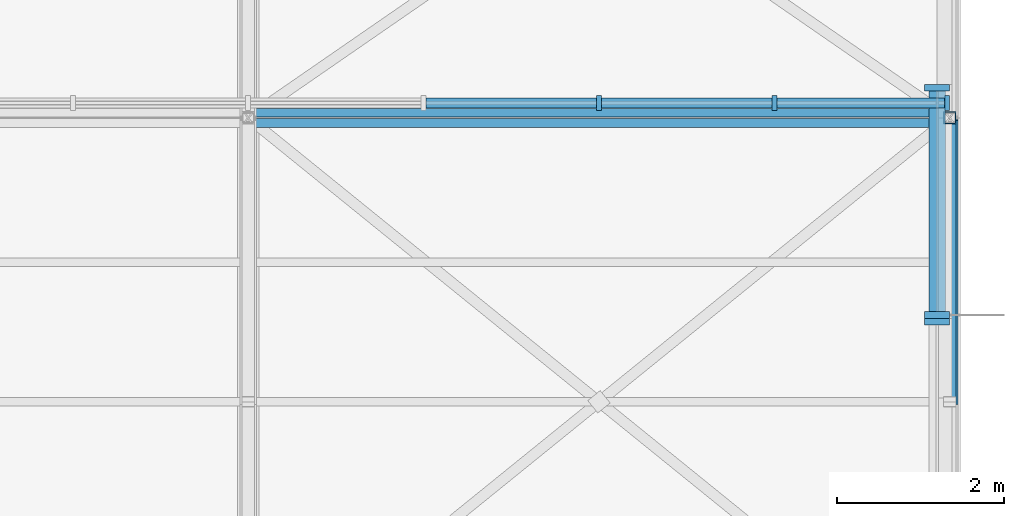
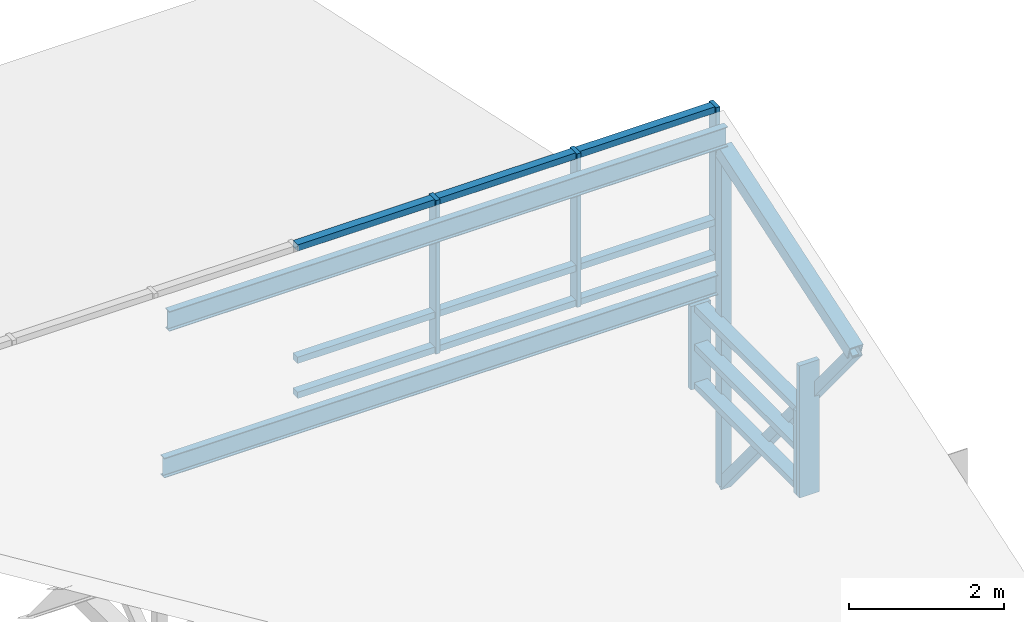
# One storey, part 23 of 89: 20 members, 3 beams, 3 elements without a shape of their own.
"""IFC4 building model written with IfcOpenShell, lengths in metres."""

from ifc_helpers import new_model, si_unit, direction, frame, origin, origin_2d, place, context, subcontext, project, spatial, rectangle, hollow_rectangle, i_section, extrude, material, material_profile, profile_set, type_object, element, aggregate, save


model = new_model("IFC4")

# Units and contexts
model_context = context("Model", 3, precision=1e-05, world=origin(), true_north=direction((0.0, 1.0)))
body_context = subcontext(model_context, "Body", "Model", "MODEL_VIEW")
ifc_project = project(units=[si_unit("LENGTHUNIT", "METRE"), si_unit("AREAUNIT", "SQUARE_METRE"), si_unit("VOLUMEUNIT", "CUBIC_METRE"), si_unit("PLANEANGLEUNIT", "RADIAN"), si_unit("MASSUNIT", "GRAM", prefix="KILO")], contexts=[model_context])

# Site, building, storey
site_placement = place(None, origin())
site = spatial("IfcSite", under=ifc_project, at=site_placement, CompositionType="ELEMENT")
building_placement = place(site_placement, origin())
building = spatial("IfcBuilding", under=site, at=building_placement, Name="Hlaing Beacon Police Headquarters", CompositionType="ELEMENT")
storey_placement = place(building_placement, frame((0.0, 0.0, 9.89990234375)))
storey = spatial("IfcBuildingStorey", under=building, at=storey_placement, Name="L02", CompositionType="ELEMENT", Elevation=9.89990234375)

# Curtain wall, members
ifc_material_1 = material(Name="Aluminium frame with solar control glazing", Category="aluminium")
curtain_wall_type_1 = type_object("IfcCurtainWallType", Name="Clerestory glazing 42.00 x 2.42", PredefinedType="NOTDEFINED", material=ifc_material_1)
curtain_wall_1_placement = place(storey_placement, origin())
curtain_wall_1 = element("IfcCurtainWall", 1, at=curtain_wall_1_placement, inside=storey, type_object=curtain_wall_type_1, Name="ENV-CLR-V3-38", PredefinedType="NOTDEFINED")
ifc_material_2 = material(Name="Aluminium", Category="aluminium")
ifc_material_profile_1 = material_profile(ifc_material_2, rectangle(XDim=0.179931640625, YDim=0.06005859375, at=origin_2d()), Name="Mullion 60x180")
ifc_profile_set_1 = profile_set([ifc_material_profile_1], Name="Aluminium")
member_type_1 = type_object("IfcMemberType", Name="Mullion 60x180", PredefinedType="MULLION", material=ifc_profile_set_1)
member_1_placement = place(storey_placement, frame((130.199951171875, 22.17822265625, 2.0810546875), z_axis=(0.0, 0.0, 1.0), x_axis=(0.0, 1.0, 0.0)))
member_1 = element("IfcMember", 2, at=member_1_placement, type_object=member_type_1, Name="CLR-V3-38 mullion 19", PredefinedType="MULLION", context=body_context, shape_type="SweptSolid", body=[
    extrude(rectangle(XDim=0.179931640625, YDim=0.06005859375, at=origin_2d()), origin(), (0.0, 0.0, 1.0), 2.4189453125),
])
member_2_placement = place(storey_placement, frame((132.300048828125, 22.17822265625, 2.0810546875), z_axis=(0.0, 0.0, 1.0), x_axis=(0.0, 1.0, 0.0)))
member_2 = element("IfcMember", 3, at=member_2_placement, type_object=member_type_1, Name="CLR-V3-38 mullion 20", PredefinedType="MULLION", context=body_context, shape_type="SweptSolid", body=[
    extrude(rectangle(XDim=0.179931640625, YDim=0.06005859375, at=origin_2d()), origin(), (0.0, 0.0, 1.0), 2.4189453125),
])
member_3_placement = place(storey_placement, frame((134.3701171875, 22.17822265625, 2.0810546875), z_axis=(0.0, 0.0, 1.0), x_axis=(0.0, 1.0, 0.0)))
member_3 = element("IfcMember", 4, at=member_3_placement, type_object=member_type_1, Name="CLR-V3-38 mullion 21", PredefinedType="MULLION", context=body_context, shape_type="SweptSolid", body=[
    extrude(rectangle(XDim=0.179931640625, YDim=0.06005859375, at=origin_2d()), origin(), (0.0, 0.0, 1.0), 2.4189453125),
])

# Curtain wall, member
ifc_material_3 = material(Name="Aluminium frame with solar control glazing", Category="aluminium")
curtain_wall_type_2 = type_object("IfcCurtainWallType", Name="Structural glazed gable wall 2.80 x 2.08", PredefinedType="NOTDEFINED", material=ifc_material_3)
curtain_wall_2_placement = place(storey_placement, origin())
curtain_wall_2 = element("IfcCurtainWall", 5, at=curtain_wall_2_placement, inside=storey, type_object=curtain_wall_type_2, Name="ENV-CW-L02-E001", PredefinedType="NOTDEFINED")
ifc_material_4 = material(Name="Aluminium", Category="aluminium")
ifc_material_profile_2 = material_profile(ifc_material_4, rectangle(XDim=0.300048828125, YDim=0.080078125, at=origin_2d()), Name="Mullion 80x300")
ifc_profile_set_2 = profile_set([ifc_material_profile_2], Name="Aluminium")
member_type_2 = type_object("IfcMemberType", Name="Mullion 80x300", PredefinedType="MULLION", material=ifc_profile_set_2)
member_4_placement = place(storey_placement, frame((134.25, 19.56005859375, 0.0), z_axis=(0.0, 0.0, 1.0), x_axis=(-1.0, 0.0, 0.0)))
member_4 = element("IfcMember", 6, at=member_4_placement, type_object=member_type_2, Name="CW-L02-E001 mullion 2", PredefinedType="MULLION", context=body_context, shape_type="SweptSolid", body=[
    extrude(rectangle(XDim=0.300048828125, YDim=0.080078125, at=origin_2d()), origin(), (0.0, 0.0, 1.0), 2.0791015625),
])
aggregate(curtain_wall_2, [member_4])

# Curtain wall, members
ifc_material_5 = material(Name="Aluminium frame with solar control glazing", Category="aluminium")
curtain_wall_type_3 = type_object("IfcCurtainWallType", Name="Structural glazed gable wall 2.80 x 1.31", PredefinedType="NOTDEFINED", material=ifc_material_5)
curtain_wall_3_placement = place(storey_placement, origin())
curtain_wall_3 = element("IfcCurtainWall", 7, at=curtain_wall_3_placement, inside=storey, type_object=curtain_wall_type_3, Name="ENV-CW-L02-E002", PredefinedType="NOTDEFINED")
member_5_placement = place(storey_placement, frame((134.25, 19.639892578125, 0.0), z_axis=(0.0, 0.0, 1.0), x_axis=(-1.0, 0.0, 0.0)))
member_5 = element("IfcMember", 8, at=member_5_placement, type_object=member_type_2, Name="CW-L02-E002 mullion 1", PredefinedType="MULLION", context=body_context, shape_type="SweptSolid", body=[
    extrude(rectangle(XDim=0.300048828125, YDim=0.080078125, at=origin_2d()), origin(), (0.0, 0.0, 1.0), 1.31396484375),
])
member_6_placement = place(storey_placement, frame((134.25, 22.360107421875, 0.0), z_axis=(0.0, 0.0, 1.0), x_axis=(-1.0, 0.0, 0.0)))
member_6 = element("IfcMember", 9, at=member_6_placement, type_object=member_type_2, Name="CW-L02-E002 mullion 2", PredefinedType="MULLION", context=body_context, shape_type="SweptSolid", body=[
    extrude(rectangle(XDim=0.300048828125, YDim=0.080078125, at=origin_2d()), origin(), (0.0, 0.0, 1.0), 1.31396484375),
])

# Beams
ifc_material_6 = material(Name="Steel ASTM A992 Grade 50", Category="steel")
ifc_material_profile_3 = material_profile(ifc_material_6, i_section(OverallWidth=0.102294921875, OverallDepth=0.3125, WebThickness=0.006591796875, FlangeThickness=0.0107421875, FilletRadius=0.007568359375, at=origin_2d()), Name="W12x22")
ifc_profile_set_3 = profile_set([ifc_material_profile_3], Name="Steel ASTM A992 Grade 50")
beam_type_1 = type_object("IfcBeamType", Name="Roof purlin W12x22", PredefinedType="BEAM", material=ifc_profile_set_3)
for number, where, z_axis, x_axis, name in (
    (10, (126.0849609375, 21.938720703125, 4.1484375), (1.0, 0.0, 0.0), (0.0, 1.0, 0.0), "STR-RT-V3-PR-R2-09-5"),
    (11, (126.0849609375, 22.061279296875, 1.765869140625), (1.0, 0.0, 0.0), (0.0, 1.0, 0.0), "STR-RT-V3-PR-R3-01-5"),
):
    element("IfcBeam", number, at=place(storey_placement, frame(where, z_axis=z_axis, x_axis=x_axis)), inside=storey, type_object=beam_type_1, Name=name, PredefinedType="BEAM", context=body_context, shape_type="SweptSolid", body=[
        extrude(i_section(OverallWidth=0.102294921875, OverallDepth=0.3125, WebThickness=0.006591796875, FlangeThickness=0.0107421875, FilletRadius=0.007568359375, at=origin_2d()), origin(), (0.0, 0.0, 1.0), 8.31494140625),
    ])

# Member
ifc_material_7 = material(Name="Aluminium", Category="aluminium")
ifc_material_profile_4 = material_profile(ifc_material_7, rectangle(XDim=0.1201171875, YDim=0.10009765625, at=origin_2d()), Name="Transom 120x100")
ifc_profile_set_4 = profile_set([ifc_material_profile_4], Name="Aluminium")
member_type_3 = type_object("IfcMemberType", Name="Transom 120x100", PredefinedType="USERDEFINED", material=ifc_profile_set_4)
member_7_placement = place(storey_placement, frame((128.1298828125, 22.17822265625, 2.131103515625), z_axis=(1.0, 0.0, 0.0), x_axis=(0.0, 1.0, 0.0)))
member_7 = element("IfcMember", 12, at=member_7_placement, type_object=member_type_3, Name="CLR-V3-38 transom 18.1", ObjectType="TRANSOM", PredefinedType="USERDEFINED", context=body_context, shape_type="SweptSolid", body=[
    extrude(rectangle(XDim=0.1201171875, YDim=0.10009765625, at=origin_2d()), origin(), (0.0, 0.0, 1.0), 2.0400390625),
])

member_8_placement = place(storey_placement, frame((128.1298828125, 22.17822265625, 2.68115234375), z_axis=(1.0, 0.0, 0.0), x_axis=(0.0, 1.0, 0.0)))
member_8 = element("IfcMember", 13, at=member_8_placement, type_object=member_type_3, Name="CLR-V3-38 transom 18.2", ObjectType="TRANSOM", PredefinedType="USERDEFINED", context=body_context, shape_type="SweptSolid", body=[
    extrude(rectangle(XDim=0.1201171875, YDim=0.10009765625, at=origin_2d()), origin(), (0.0, 0.0, 1.0), 2.0400390625),
])

member_9_placement = place(storey_placement, frame((128.1298828125, 22.17822265625, 4.4501953125), z_axis=(1.0, 0.0, 0.0), x_axis=(0.0, 1.0, 0.0)))
member_9 = element("IfcMember", 14, at=member_9_placement, type_object=member_type_3, Name="CLR-V3-38 transom 18.3", ObjectType="TRANSOM", PredefinedType="USERDEFINED", context=body_context, shape_type="SweptSolid", body=[
    extrude(rectangle(XDim=0.1201171875, YDim=0.10009765625, at=origin_2d()), origin(), (0.0, 0.0, 1.0), 2.0400390625),
])

member_10_placement = place(storey_placement, frame((130.22998046875, 22.17822265625, 2.131103515625), z_axis=(1.0, 0.0, 0.0), x_axis=(0.0, 1.0, 0.0)))
member_10 = element("IfcMember", 15, at=member_10_placement, type_object=member_type_3, Name="CLR-V3-38 transom 19.1", ObjectType="TRANSOM", PredefinedType="USERDEFINED", context=body_context, shape_type="SweptSolid", body=[
    extrude(rectangle(XDim=0.1201171875, YDim=0.10009765625, at=origin_2d()), origin(), (0.0, 0.0, 1.0), 2.0400390625),
])

member_11_placement = place(storey_placement, frame((130.22998046875, 22.17822265625, 2.68115234375), z_axis=(1.0, 0.0, 0.0), x_axis=(0.0, 1.0, 0.0)))
member_11 = element("IfcMember", 16, at=member_11_placement, type_object=member_type_3, Name="CLR-V3-38 transom 19.2", ObjectType="TRANSOM", PredefinedType="USERDEFINED", context=body_context, shape_type="SweptSolid", body=[
    extrude(rectangle(XDim=0.1201171875, YDim=0.10009765625, at=origin_2d()), origin(), (0.0, 0.0, 1.0), 2.0400390625),
])

member_12_placement = place(storey_placement, frame((130.22998046875, 22.17822265625, 4.4501953125), z_axis=(1.0, 0.0, 0.0), x_axis=(0.0, 1.0, 0.0)))
member_12 = element("IfcMember", 17, at=member_12_placement, type_object=member_type_3, Name="CLR-V3-38 transom 19.3", ObjectType="TRANSOM", PredefinedType="USERDEFINED", context=body_context, shape_type="SweptSolid", body=[
    extrude(rectangle(XDim=0.1201171875, YDim=0.10009765625, at=origin_2d()), origin(), (0.0, 0.0, 1.0), 2.0400390625),
])

member_13_placement = place(storey_placement, frame((132.330078125, 22.17822265625, 2.131103515625), z_axis=(1.0, 0.0, 0.0), x_axis=(0.0, 1.0, 0.0)))
member_13 = element("IfcMember", 18, at=member_13_placement, type_object=member_type_3, Name="CLR-V3-38 transom 20.1", ObjectType="TRANSOM", PredefinedType="USERDEFINED", context=body_context, shape_type="SweptSolid", body=[
    extrude(rectangle(XDim=0.1201171875, YDim=0.10009765625, at=origin_2d()), origin(), (0.0, 0.0, 1.0), 2.010009765625),
])

member_14_placement = place(storey_placement, frame((132.330078125, 22.17822265625, 2.68115234375), z_axis=(1.0, 0.0, 0.0), x_axis=(0.0, 1.0, 0.0)))
member_14 = element("IfcMember", 19, at=member_14_placement, type_object=member_type_3, Name="CLR-V3-38 transom 20.2", ObjectType="TRANSOM", PredefinedType="USERDEFINED", context=body_context, shape_type="SweptSolid", body=[
    extrude(rectangle(XDim=0.1201171875, YDim=0.10009765625, at=origin_2d()), origin(), (0.0, 0.0, 1.0), 2.010009765625),
])

member_15_placement = place(storey_placement, frame((132.330078125, 22.17822265625, 4.4501953125), z_axis=(1.0, 0.0, 0.0), x_axis=(0.0, 1.0, 0.0)))
member_15 = element("IfcMember", 20, at=member_15_placement, type_object=member_type_3, Name="CLR-V3-38 transom 20.3", ObjectType="TRANSOM", PredefinedType="USERDEFINED", context=body_context, shape_type="SweptSolid", body=[
    extrude(rectangle(XDim=0.1201171875, YDim=0.10009765625, at=origin_2d()), origin(), (0.0, 0.0, 1.0), 2.010009765625),
])

aggregate(curtain_wall_1, [member_1, member_2, member_3, member_7, member_8, member_9, member_10, member_11, member_12, member_13, member_14, member_15])

ifc_material_8 = material(Name="Aluminium", Category="aluminium")
ifc_material_profile_5 = material_profile(ifc_material_8, rectangle(XDim=0.199951171875, YDim=0.10009765625, at=origin_2d()), Name="Transom 200x100")
ifc_profile_set_5 = profile_set([ifc_material_profile_5], Name="Aluminium")
member_type_4 = type_object("IfcMemberType", Name="Transom 200x100", PredefinedType="USERDEFINED", material=ifc_profile_set_5)
member_16_placement = place(storey_placement, frame((134.25, 19.679931640625, 0.050048828125), z_axis=(0.0, 1.0, 0.0), x_axis=(-1.0, 0.0, 0.0)))
member_16 = element("IfcMember", 21, at=member_16_placement, type_object=member_type_4, Name="CW-L02-E002 transom 1.1", ObjectType="TRANSOM", PredefinedType="USERDEFINED", context=body_context, shape_type="SweptSolid", body=[
    extrude(rectangle(XDim=0.199951171875, YDim=0.10009765625, at=origin_2d()), origin(), (0.0, 0.0, 1.0), 2.64013671875),
])

member_17_placement = place(storey_placement, frame((134.25, 19.679931640625, 0.656982421875), z_axis=(0.0, 1.0, 0.0), x_axis=(-1.0, 0.0, 0.0)))
member_17 = element("IfcMember", 22, at=member_17_placement, type_object=member_type_4, Name="CW-L02-E002 transom 1.2", ObjectType="TRANSOM", PredefinedType="USERDEFINED", context=body_context, shape_type="SweptSolid", body=[
    extrude(rectangle(XDim=0.199951171875, YDim=0.10009765625, at=origin_2d()), origin(), (0.0, 0.0, 1.0), 2.64013671875),
])

member_18_placement = place(storey_placement, frame((134.25, 19.679931640625, 1.263916015625), z_axis=(0.0, 1.0, 0.0), x_axis=(-1.0, 0.0, 0.0)))
member_18 = element("IfcMember", 23, at=member_18_placement, type_object=member_type_4, Name="CW-L02-E002 transom 1.3", ObjectType="TRANSOM", PredefinedType="USERDEFINED", context=body_context, shape_type="SweptSolid", body=[
    extrude(rectangle(XDim=0.199951171875, YDim=0.10009765625, at=origin_2d()), origin(), (0.0, 0.0, 1.0), 2.64013671875),
])

aggregate(curtain_wall_3, [member_5, member_6, member_16, member_17, member_18])

ifc_material_9 = material(Name="Steel ASTM A500 Grade C", Category="steel")
ifc_material_profile_6 = material_profile(ifc_material_9, hollow_rectangle(XDim=0.15234375, YDim=0.15234375, WallThickness=0.0126953125, at=origin_2d()), Name="HSS6x6x1/2")
ifc_profile_set_6 = profile_set([ifc_material_profile_6], Name="Steel ASTM A500 Grade C")
member_type_5 = type_object("IfcMemberType", Name="Truss post HSS6x6x1/2", PredefinedType="POST", material=ifc_profile_set_6)
member_19_placement = place(storey_placement, frame((134.39990234375, 22.0, -1.372802734375), z_axis=(0.0, 0.0, 1.0), x_axis=(1.0, 0.0, 0.0)))
element("IfcMember", 24, at=member_19_placement, inside=storey, type_object=member_type_5, Name="STR-RT-V3-T6-PS03", PredefinedType="POST", context=body_context, shape_type="SweptSolid", body=[
    extrude(hollow_rectangle(XDim=0.15234375, YDim=0.15234375, WallThickness=0.0126953125, at=origin_2d()), origin(), (0.0, 0.0, 1.0), 5.26171875),
])

# Beam
ifc_material_10 = material(Name="Steel ASTM A500 Grade C", Category="steel")
ifc_material_profile_7 = material_profile(ifc_material_10, hollow_rectangle(XDim=0.203125, YDim=0.203125, WallThickness=0.015869140625, at=origin_2d()), Name="HSS8x8x5/8")
ifc_profile_set_7 = profile_set([ifc_material_profile_7], Name="Steel ASTM A500 Grade C")
beam_type_2 = type_object("IfcBeamType", Name="Truss top chord HSS8x8x5/8", PredefinedType="BEAM", material=ifc_profile_set_7)
beam_placement = place(storey_placement, frame((134.39990234375, 18.60009765625, 2.763916015625), z_axis=(0.0, 0.949376368451, 0.314140909509), x_axis=(-1.0, 0.0, 0.0)))
element("IfcBeam", 25, at=beam_placement, inside=storey, type_object=beam_type_2, Name="STR-RT-V3-T6-TC05", PredefinedType="BEAM", context=body_context, shape_type="SweptSolid", body=[
    extrude(hollow_rectangle(XDim=0.203125, YDim=0.203125, WallThickness=0.015869140625, at=origin_2d()), origin(), (0.0, 0.0, 1.0), 3.581298828125),
])

# Member
ifc_material_11 = material(Name="Steel ASTM A500 Grade C", Category="steel")
ifc_material_profile_8 = material_profile(ifc_material_11, hollow_rectangle(XDim=0.15234375, YDim=0.15234375, WallThickness=0.009521484375, at=origin_2d()), Name="HSS6x6x3/8")
ifc_profile_set_8 = profile_set([ifc_material_profile_8], Name="Steel ASTM A500 Grade C")
member_type_6 = type_object("IfcMemberType", Name="Truss web HSS6x6x3/8", PredefinedType="BRACE", material=ifc_profile_set_8)
member_20_placement = place(storey_placement, frame((134.39990234375, 18.60009765625, 2.763916015625), z_axis=(0.0, 0.634949419501, -0.772553709897), x_axis=(-1.0, 0.0, 0.0)))
element("IfcMember", 26, at=member_20_placement, inside=storey, type_object=member_type_6, Name="STR-RT-V3-T6-DG04", PredefinedType="BRACE", context=body_context, shape_type="SweptSolid", body=[
    extrude(hollow_rectangle(XDim=0.15234375, YDim=0.15234375, WallThickness=0.009521484375, at=origin_2d()), origin(), (0.0, 0.0, 1.0), 5.3544921875),
])

save(model, "model.ifc")
